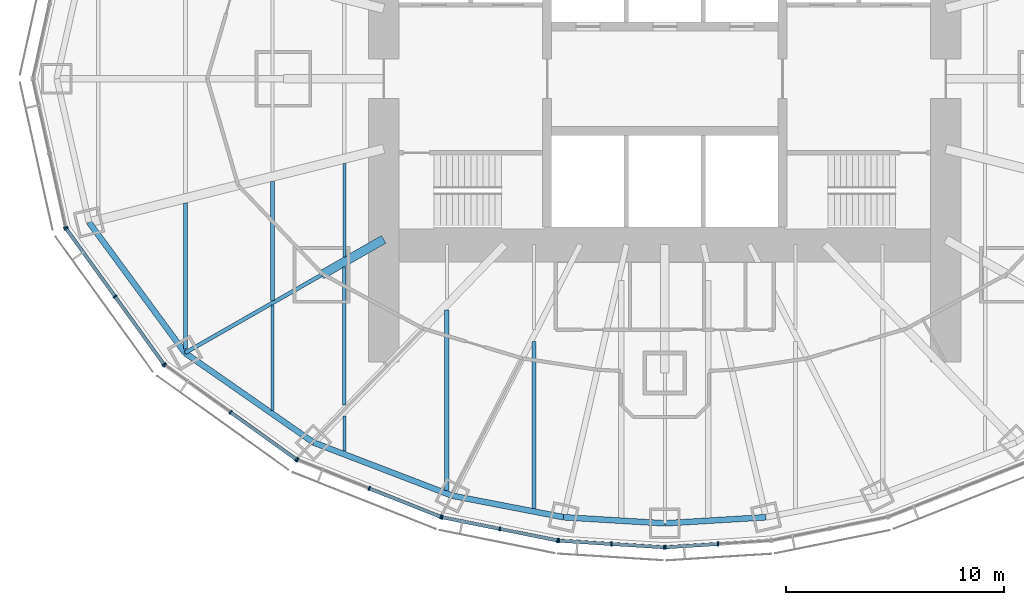
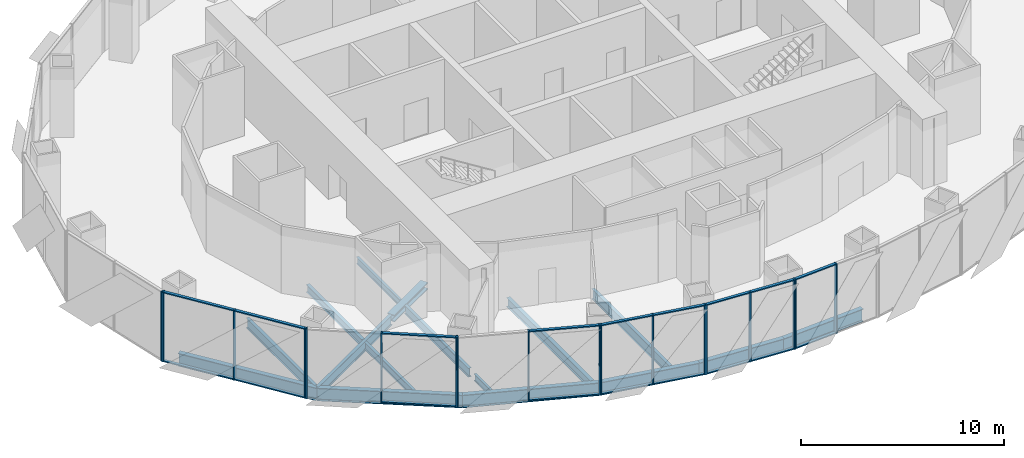
# One storey, part 2 of 18: 36 members, 16 beams, 7 elements without a shape of their own.
"""IFC4 building model written with IfcOpenShell, lengths in metres."""

from ifc_helpers import new_model, si_unit, direction, frame, origin, origin_2d, place, context, subcontext, project, spatial, rectangle, i_section, extrude, material, material_profile, profile_set, type_object, element, aggregate, save


model = new_model("IFC4")

# Units and contexts
model_context = context("Model", 3, precision=1e-05, world=origin(), true_north=direction((0.0, 1.0)))
body_context = subcontext(model_context, "Body", "Model", "MODEL_VIEW")
ifc_project = project(units=[si_unit("LENGTHUNIT", "METRE"), si_unit("AREAUNIT", "SQUARE_METRE"), si_unit("VOLUMEUNIT", "CUBIC_METRE"), si_unit("PLANEANGLEUNIT", "RADIAN"), si_unit("MASSUNIT", "GRAM", prefix="KILO")], contexts=[model_context])

# Site, building, storey
site_placement = place(None, origin())
site = spatial("IfcSite", under=ifc_project, at=site_placement, CompositionType="ELEMENT")
building_placement = place(site_placement, origin())
building = spatial("IfcBuilding", under=site, at=building_placement, Name="Lantaw Convention Tower", CompositionType="ELEMENT")
storey_placement = place(building_placement, frame((0.0, 0.0, 184.60009765625)))
storey = spatial("IfcBuildingStorey", under=building, at=storey_placement, Name="L43", CompositionType="ELEMENT", Elevation=184.60009765625)

# Beams
ifc_material_1 = material(Name="Steel ASTM A992", Category="steel")
ifc_material_profile_1 = material_profile(ifc_material_1, i_section(OverallWidth=0.2666015625, OverallDepth=0.76953125, WebThickness=0.015625, FlangeThickness=0.025390625, FilletRadius=0.0126953125, at=origin_2d()), Name="W30X132")
ifc_profile_set_1 = profile_set([ifc_material_profile_1], Name="Steel ASTM A992")
beam_type_1 = type_object("IfcBeamType", Name="Beam E W30X132", PredefinedType="SPANDREL", material=ifc_profile_set_1)
beam_1_placement = place(storey_placement, frame((-26.419921875, -6.587158203125, -0.534912109375), z_axis=(0.5923891972, -0.805651934176, 0.0), x_axis=(0.805651934176, 0.5923891972, 0.0)))
element("IfcBeam", 1, at=beam_1_placement, inside=storey, type_object=beam_type_1, Name="Edge beam 14", PredefinedType="SPANDREL", context=body_context, shape_type="SweptSolid", body=[
    extrude(i_section(OverallWidth=0.2666015625, OverallDepth=0.76953125, WebThickness=0.015625, FlangeThickness=0.025390625, FilletRadius=0.0126953125, at=origin_2d()), origin(), (0.0, 0.0, 1.0), 7.437744140625),
])
beam_2_placement = place(storey_placement, frame((-22.013916015625, -12.579345703125, -0.534912109375), z_axis=(0.820310765287, -0.57191804339, 0.0), x_axis=(0.57191804339, 0.820310765287, 0.0)))
element("IfcBeam", 2, at=beam_2_placement, inside=storey, type_object=beam_type_1, Name="Edge beam 15", PredefinedType="SPANDREL", context=body_context, shape_type="SweptSolid", body=[
    extrude(i_section(OverallWidth=0.2666015625, OverallDepth=0.76953125, WebThickness=0.015625, FlangeThickness=0.025390625, FilletRadius=0.0126953125, at=origin_2d()), origin(), (0.0, 0.0, 1.0), 7.187744140625),
])
beam_3_placement = place(storey_placement, frame((-16.11767578125, -16.690185546875, -0.534912109375), z_axis=(0.933691081977, -0.358079549033, 0.0), x_axis=(0.358079549033, 0.933691081977, 0.0)))
element("IfcBeam", 3, at=beam_3_placement, inside=storey, type_object=beam_type_1, Name="Edge beam 16", PredefinedType="SPANDREL", context=body_context, shape_type="SweptSolid", body=[
    extrude(i_section(OverallWidth=0.2666015625, OverallDepth=0.76953125, WebThickness=0.015625, FlangeThickness=0.025390625, FilletRadius=0.0126953125, at=origin_2d()), origin(), (0.0, 0.0, 1.0), 6.821533203125),
])
beam_4_placement = place(storey_placement, frame((-9.74853515625, -19.1328125, -0.534912109375), z_axis=(0.981796805654, -0.189934284446, 0.0), x_axis=(0.189934284446, 0.981796805654, 0.0)))
element("IfcBeam", 4, at=beam_4_placement, inside=storey, type_object=beam_type_1, Name="Edge beam 17", PredefinedType="SPANDREL", context=body_context, shape_type="SweptSolid", body=[
    extrude(i_section(OverallWidth=0.2666015625, OverallDepth=0.76953125, WebThickness=0.015625, FlangeThickness=0.025390625, FilletRadius=0.0126953125, at=origin_2d()), origin(), (0.0, 0.0, 1.0), 5.1982421875),
])
for number, where, z_axis, x_axis, name in (
    (5, (-4.64501953125, -20.1201171875, -0.534912109375), (0.998190892054, -0.06012439621, 0.0), (0.06012439621, 0.998190892054, 0.0), "Edge beam 18"),
    (6, (0.0, -20.39990234375, -0.534912109375), (0.998190892054, 0.06012439621, 0.0), (-0.06012439621, 0.998190892054, 0.0), "Edge beam 19"),
):
    element("IfcBeam", number, at=place(storey_placement, frame(where, z_axis=z_axis, x_axis=x_axis)), inside=storey, type_object=beam_type_1, Name=name, PredefinedType="SPANDREL", context=body_context, shape_type="SweptSolid", body=[
        extrude(i_section(OverallWidth=0.2666015625, OverallDepth=0.76953125, WebThickness=0.015625, FlangeThickness=0.025390625, FilletRadius=0.0126953125, at=origin_2d()), origin(), (0.0, 0.0, 1.0), 4.6533203125),
    ])
ifc_material_profile_2 = material_profile(ifc_material_1, i_section(OverallWidth=0.177978515625, OverallDepth=0.599365234375, WebThickness=0.010009765625, FlangeThickness=0.012939453125, FilletRadius=0.012939453125, at=origin_2d()), Name="W24X55")
ifc_profile_set_2 = profile_set([ifc_material_profile_2], Name="Steel ASTM A992")
beam_type_2 = type_object("IfcBeamType", Name="Beam G W24X55", PredefinedType="BEAM", material=ifc_profile_set_2)
beam_5_placement = place(storey_placement, frame((-15.75, -9.0, -0.44970703125), z_axis=(-0.868245224608, -0.496135293993, 0.0), x_axis=(0.496135293993, -0.868245224608, 0.0)))
element("IfcBeam", 7, at=beam_5_placement, inside=storey, type_object=beam_type_2, Name="Floor girder on ray 15", PredefinedType="BEAM", context=body_context, shape_type="SweptSolid", body=[
    extrude(i_section(OverallWidth=0.177978515625, OverallDepth=0.599365234375, WebThickness=0.010009765625, FlangeThickness=0.012939453125, FilletRadius=0.012939453125, at=origin_2d()), origin(), (0.0, 0.0, 1.0), 7.21435546875),
])
ifc_material_profile_3 = material_profile(ifc_material_1, i_section(OverallWidth=0.40380859375, OverallDepth=0.406494140625, WebThickness=0.027099609375, FlangeThickness=0.043701171875, FilletRadius=0.01513671875, at=origin_2d()), Name="W14X233")
ifc_profile_set_3 = profile_set([ifc_material_profile_3], Name="Steel ASTM A992")
beam_type_3 = type_object("IfcBeamType", Name="Beam GM W14X233", PredefinedType="BEAM", material=ifc_profile_set_3)
beam_6_placement = place(storey_placement, frame((-12.89990234375, -7.371337890625, -0.353271484375), z_axis=(-0.868238565244, -0.496146947811, 0.0), x_axis=(0.496146947811, -0.868238565244, 0.0)))
element("IfcBeam", 8, at=beam_6_placement, inside=storey, type_object=beam_type_3, Name="Core link beam on ray 15", PredefinedType="BEAM", context=body_context, shape_type="SweptSolid", body=[
    extrude(i_section(OverallWidth=0.40380859375, OverallDepth=0.406494140625, WebThickness=0.027099609375, FlangeThickness=0.043701171875, FilletRadius=0.01513671875, at=origin_2d()), origin(), (0.0, 0.0, 1.0), 3.28271484375),
])
ifc_material_profile_4 = material_profile(ifc_material_1, i_section(OverallWidth=0.140380859375, OverallDepth=0.40380859375, WebThickness=0.007080078125, FlangeThickness=0.01123046875, FilletRadius=0.01025390625, at=origin_2d()), Name="W16X31")
ifc_profile_set_4 = profile_set([ifc_material_profile_4], Name="Steel ASTM A992")
beam_type_4 = type_object("IfcBeamType", Name="Beam J W16X31", PredefinedType="JOIST", material=ifc_profile_set_4)
beam_7_placement = place(storey_placement, frame((-14.699951171875, -17.091064453125, -0.35205078125), z_axis=(0.0, 1.0, 0.0), x_axis=(-1.0, 0.0, 0.0)))
element("IfcBeam", 9, at=beam_7_placement, inside=storey, type_object=beam_type_4, Name="Floor joist", PredefinedType="JOIST", context=body_context, shape_type="SweptSolid", body=[
    extrude(i_section(OverallWidth=0.140380859375, OverallDepth=0.40380859375, WebThickness=0.007080078125, FlangeThickness=0.01123046875, FilletRadius=0.01025390625, at=origin_2d()), origin(), (0.0, 0.0, 1.0), 1.609130859375),
])
beam_8_placement = place(storey_placement, frame((-14.699951171875, -8.16748046875, -0.35205078125), z_axis=(0.0, 1.0, 0.0), x_axis=(-1.0, 0.0, 0.0)))
element("IfcBeam", 10, at=beam_8_placement, inside=storey, type_object=beam_type_4, Name="Floor joist", PredefinedType="JOIST", context=body_context, shape_type="SweptSolid", body=[
    extrude(i_section(OverallWidth=0.140380859375, OverallDepth=0.40380859375, WebThickness=0.007080078125, FlangeThickness=0.01123046875, FilletRadius=0.01025390625, at=origin_2d()), origin(), (0.0, 0.0, 1.0), 4.28515625),
])
ifc_material_profile_5 = material_profile(ifc_material_1, i_section(OverallWidth=0.15234375, OverallDepth=0.449462890625, WebThickness=0.007568359375, FlangeThickness=0.0107421875, FilletRadius=0.01025390625, at=origin_2d()), Name="W18X35")
ifc_profile_set_5 = profile_set([ifc_material_profile_5], Name="Steel ASTM A992")
beam_type_5 = type_object("IfcBeamType", Name="Beam J W18X35", PredefinedType="JOIST", material=ifc_profile_set_5)
beam_9_placement = place(storey_placement, frame((-18.0, -15.21533203125, -0.375), z_axis=(0.0, 1.0, 0.0), x_axis=(-1.0, 0.0, 0.0)))
element("IfcBeam", 11, at=beam_9_placement, inside=storey, type_object=beam_type_5, Name="Floor joist", PredefinedType="JOIST", context=body_context, shape_type="SweptSolid", body=[
    extrude(i_section(OverallWidth=0.15234375, OverallDepth=0.449462890625, WebThickness=0.007568359375, FlangeThickness=0.0107421875, FilletRadius=0.01025390625, at=origin_2d()), origin(), (0.0, 0.0, 1.0), 4.8271484375),
])
ifc_material_profile_6 = material_profile(ifc_material_1, i_section(OverallWidth=0.1904296875, OverallDepth=0.457275390625, WebThickness=0.009033203125, FlangeThickness=0.014404296875, FilletRadius=0.01025390625, at=origin_2d()), Name="W18X50")
ifc_profile_set_6 = profile_set([ifc_material_profile_6], Name="Steel ASTM A992")
beam_type_6 = type_object("IfcBeamType", Name="Beam J W18X50", PredefinedType="JOIST", material=ifc_profile_set_6)
beam_10_placement = place(storey_placement, frame((-18.0, -10.18310546875, -0.378662109375), z_axis=(0.0, 1.0, 0.0), x_axis=(-1.0, 0.0, 0.0)))
element("IfcBeam", 12, at=beam_10_placement, inside=storey, type_object=beam_type_6, Name="Floor joist", PredefinedType="JOIST", context=body_context, shape_type="SweptSolid", body=[
    extrude(i_section(OverallWidth=0.1904296875, OverallDepth=0.457275390625, WebThickness=0.009033203125, FlangeThickness=0.014404296875, FilletRadius=0.01025390625, at=origin_2d()), origin(), (0.0, 0.0, 1.0), 5.47802734375),
])
ifc_material_profile_7 = material_profile(ifc_material_1, i_section(OverallWidth=0.1650390625, OverallDepth=0.52587890625, WebThickness=0.0087890625, FlangeThickness=0.011474609375, FilletRadius=0.0126953125, at=origin_2d()), Name="W21X44")
ifc_profile_set_7 = profile_set([ifc_material_profile_7], Name="Steel ASTM A992")
beam_type_7 = type_object("IfcBeamType", Name="Beam J W21X44", PredefinedType="JOIST", material=ifc_profile_set_7)
beam_11_placement = place(storey_placement, frame((-14.699951171875, -14.962646484375, -0.4130859375), z_axis=(0.0, 1.0, 0.0), x_axis=(-1.0, 0.0, 0.0)))
element("IfcBeam", 13, at=beam_11_placement, inside=storey, type_object=beam_type_7, Name="Floor joist", PredefinedType="JOIST", context=body_context, shape_type="SweptSolid", body=[
    extrude(i_section(OverallWidth=0.1650390625, OverallDepth=0.52587890625, WebThickness=0.0087890625, FlangeThickness=0.011474609375, FilletRadius=0.0126953125, at=origin_2d()), origin(), (0.0, 0.0, 1.0), 6.330078125),
])
ifc_material_profile_8 = material_profile(ifc_material_1, i_section(OverallWidth=0.2099609375, OverallDepth=0.535888671875, WebThickness=0.010986328125, FlangeThickness=0.017333984375, FilletRadius=0.012939453125, at=origin_2d()), Name="W21X68")
ifc_profile_set_8 = profile_set([ifc_material_profile_8], Name="Steel ASTM A992")
beam_type_8 = type_object("IfcBeamType", Name="Beam J W21X68", PredefinedType="JOIST", material=ifc_profile_set_8)
beam_12_placement = place(storey_placement, frame((-10.0, -18.8935546875, -0.41796875), z_axis=(0.0, 1.0, 0.0), x_axis=(-1.0, 0.0, 0.0)))
element("IfcBeam", 14, at=beam_12_placement, inside=storey, type_object=beam_type_8, Name="Floor joist", PredefinedType="JOIST", context=body_context, shape_type="SweptSolid", body=[
    extrude(i_section(OverallWidth=0.2099609375, OverallDepth=0.535888671875, WebThickness=0.010986328125, FlangeThickness=0.017333984375, FilletRadius=0.012939453125, at=origin_2d()), origin(), (0.0, 0.0, 1.0), 8.278564453125),
])
ifc_material_profile_9 = material_profile(ifc_material_1, i_section(OverallWidth=0.177978515625, OverallDepth=0.599365234375, WebThickness=0.010009765625, FlangeThickness=0.012939453125, FilletRadius=0.012939453125, at=origin_2d()), Name="W24X55")
ifc_profile_set_9 = profile_set([ifc_material_profile_9], Name="Steel ASTM A992")
beam_type_9 = type_object("IfcBeamType", Name="Beam J W24X55", PredefinedType="JOIST", material=ifc_profile_set_9)
beam_13_placement = place(storey_placement, frame((-22.0, -12.408935546875, -0.44970703125), z_axis=(0.0, 1.0, 0.0), x_axis=(-1.0, 0.0, 0.0)))
element("IfcBeam", 15, at=beam_13_placement, inside=storey, type_object=beam_type_9, Name="Floor joist", PredefinedType="JOIST", context=body_context, shape_type="SweptSolid", body=[
    extrude(i_section(OverallWidth=0.177978515625, OverallDepth=0.599365234375, WebThickness=0.010009765625, FlangeThickness=0.012939453125, FilletRadius=0.012939453125, at=origin_2d()), origin(), (0.0, 0.0, 1.0), 6.70654296875),
])
beam_14_placement = place(storey_placement, frame((-6.0, -19.72216796875, -0.44970703125), z_axis=(0.0, 1.0, 0.0), x_axis=(-1.0, 0.0, 0.0)))
element("IfcBeam", 16, at=beam_14_placement, inside=storey, type_object=beam_type_9, Name="Floor joist", PredefinedType="JOIST", context=body_context, shape_type="SweptSolid", body=[
    extrude(i_section(OverallWidth=0.177978515625, OverallDepth=0.599365234375, WebThickness=0.010009765625, FlangeThickness=0.012939453125, FilletRadius=0.012939453125, at=origin_2d()), origin(), (0.0, 0.0, 1.0), 7.666748046875),
])

# Curtain wall, member
ifc_material_2 = material(Name="Aluminium framed curtain wall", Category="aluminium")
curtain_wall_type = type_object("IfcCurtainWallType", Name="Office curtain wall low rise, pale aluminium", PredefinedType="USERDEFINED", material=ifc_material_2)
curtain_wall_1_placement = place(storey_placement, origin())
curtain_wall_1 = element("IfcCurtainWall", 17, at=curtain_wall_1_placement, inside=storey, type_object=curtain_wall_type, Name="Office curtain wall low rise, pale aluminium L43", ObjectType="UNITISED CURTAIN WALL", PredefinedType="USERDEFINED")
ifc_material_3 = material(Name="Aluminium 6063-T6", Category="aluminium")
ifc_material_profile_10 = material_profile(ifc_material_3, rectangle(XDim=0.199951171875, YDim=0.06494140625, at=origin_2d()), Name="CW-O1 mullion 65x200")
ifc_profile_set_10 = profile_set([ifc_material_profile_10], Name="Aluminium 6063-T6")
member_type_1 = type_object("IfcMemberType", Name="CW-O1 mullion 65x200", PredefinedType="MULLION", material=ifc_profile_set_10)
member_1_placement = place(storey_placement, frame((-27.494140625, -6.821533203125, -0.150146484375), z_axis=(0.0, 0.0, 1.0), x_axis=(0.9764936509, 0.215546166174, 0.0)))
member_1 = element("IfcMember", 18, at=member_1_placement, type_object=member_type_1, Name="CW-O1 mullion 3", PredefinedType="MULLION", context=body_context, shape_type="SweptSolid", body=[
    extrude(rectangle(XDim=0.199951171875, YDim=0.06494140625, at=origin_2d()), origin(), (0.0, 0.0, 1.0), 4.199951171875),
])
aggregate(curtain_wall_1, [member_1])

# Curtain wall, members
curtain_wall_2_placement = place(storey_placement, origin())
curtain_wall_2 = element("IfcCurtainWall", 19, at=curtain_wall_2_placement, inside=storey, type_object=curtain_wall_type, Name="Office curtain wall low rise, pale aluminium L43", ObjectType="UNITISED CURTAIN WALL", PredefinedType="USERDEFINED")
member_2_placement = place(storey_placement, frame((-27.46826171875, -6.879638671875, -0.150146484375), z_axis=(0.0, 0.0, 1.0), x_axis=(0.811384633629, 0.584512597221, 0.0)))
member_2 = element("IfcMember", 20, at=member_2_placement, type_object=member_type_1, Name="CW-O1 mullion 1", PredefinedType="MULLION", context=body_context, shape_type="SweptSolid", body=[
    extrude(rectangle(XDim=0.199951171875, YDim=0.06494140625, at=origin_2d()), origin(), (0.0, 0.0, 1.0), 4.199951171875),
])
member_3_placement = place(storey_placement, frame((-25.22802734375, -9.9892578125, -0.150146484375), z_axis=(0.0, 0.0, 1.0), x_axis=(0.811384633629, 0.584512597221, 0.0)))
member_3 = element("IfcMember", 21, at=member_3_placement, type_object=member_type_1, Name="CW-O1 mullion 2", PredefinedType="MULLION", context=body_context, shape_type="SweptSolid", body=[
    extrude(rectangle(XDim=0.199951171875, YDim=0.06494140625, at=origin_2d()), origin(), (0.0, 0.0, 1.0), 4.199951171875),
])
member_4_placement = place(storey_placement, frame((-22.988037109375, -13.098876953125, -0.150146484375), z_axis=(0.0, 0.0, 1.0), x_axis=(0.811384633629, 0.584512597221, 0.0)))
member_4 = element("IfcMember", 22, at=member_4_placement, type_object=member_type_1, Name="CW-O1 mullion 3", PredefinedType="MULLION", context=body_context, shape_type="SweptSolid", body=[
    extrude(rectangle(XDim=0.199951171875, YDim=0.06494140625, at=origin_2d()), origin(), (0.0, 0.0, 1.0), 4.199951171875),
])

curtain_wall_3_placement = place(storey_placement, origin())
curtain_wall_3 = element("IfcCurtainWall", 23, at=curtain_wall_3_placement, inside=storey, type_object=curtain_wall_type, Name="Office curtain wall low rise, pale aluminium L43", ObjectType="UNITISED CURTAIN WALL", PredefinedType="USERDEFINED")
member_5_placement = place(storey_placement, frame((-22.942626953125, -13.14404296875, -0.150146484375), z_axis=(0.0, 0.0, 1.0), x_axis=(0.581972695693, 0.813208325995, 0.0)))
member_5 = element("IfcMember", 24, at=member_5_placement, type_object=member_type_1, Name="CW-O1 mullion 1", PredefinedType="MULLION", context=body_context, shape_type="SweptSolid", body=[
    extrude(rectangle(XDim=0.199951171875, YDim=0.06494140625, at=origin_2d()), origin(), (0.0, 0.0, 1.0), 4.199951171875),
])
member_6_placement = place(storey_placement, frame((-19.92529296875, -15.303466796875, -0.150146484375), z_axis=(0.0, 0.0, 1.0), x_axis=(0.581972695693, 0.813208325995, 0.0)))
member_6 = element("IfcMember", 25, at=member_6_placement, type_object=member_type_1, Name="CW-O1 mullion 2", PredefinedType="MULLION", context=body_context, shape_type="SweptSolid", body=[
    extrude(rectangle(XDim=0.199951171875, YDim=0.06494140625, at=origin_2d()), origin(), (0.0, 0.0, 1.0), 4.199951171875),
])
member_7_placement = place(storey_placement, frame((-16.908203125, -17.462646484375, -0.150146484375), z_axis=(0.0, 0.0, 1.0), x_axis=(0.581972695693, 0.813208325995, 0.0)))
member_7 = element("IfcMember", 26, at=member_7_placement, type_object=member_type_1, Name="CW-O1 mullion 3", PredefinedType="MULLION", context=body_context, shape_type="SweptSolid", body=[
    extrude(rectangle(XDim=0.199951171875, YDim=0.06494140625, at=origin_2d()), origin(), (0.0, 0.0, 1.0), 4.199951171875),
])

curtain_wall_4_placement = place(storey_placement, origin())
curtain_wall_4 = element("IfcCurtainWall", 27, at=curtain_wall_4_placement, inside=storey, type_object=curtain_wall_type, Name="Office curtain wall low rise, pale aluminium L43", ObjectType="UNITISED CURTAIN WALL", PredefinedType="USERDEFINED")
member_8_placement = place(storey_placement, frame((-16.8515625, -17.49365234375, -0.150146484375), z_axis=(0.0, 0.0, 1.0), x_axis=(0.368701907483, 0.929547687544, 0.0)))
member_8 = element("IfcMember", 28, at=member_8_placement, type_object=member_type_1, Name="CW-O1 mullion 1", PredefinedType="MULLION", context=body_context, shape_type="SweptSolid", body=[
    extrude(rectangle(XDim=0.199951171875, YDim=0.06494140625, at=origin_2d()), origin(), (0.0, 0.0, 1.0), 4.199951171875),
])
member_9_placement = place(storey_placement, frame((-13.56494140625, -18.797119140625, -0.150146484375), z_axis=(0.0, 0.0, 1.0), x_axis=(0.368701907483, 0.929547687544, 0.0)))
member_9 = element("IfcMember", 29, at=member_9_placement, type_object=member_type_1, Name="CW-O1 mullion 2", PredefinedType="MULLION", context=body_context, shape_type="SweptSolid", body=[
    extrude(rectangle(XDim=0.199951171875, YDim=0.06494140625, at=origin_2d()), origin(), (0.0, 0.0, 1.0), 4.199951171875),
])
member_10_placement = place(storey_placement, frame((-10.2783203125, -20.100830078125, -0.150146484375), z_axis=(0.0, 0.0, 1.0), x_axis=(0.368701907483, 0.929547687544, 0.0)))
member_10 = element("IfcMember", 30, at=member_10_placement, type_object=member_type_1, Name="CW-O1 mullion 3", PredefinedType="MULLION", context=body_context, shape_type="SweptSolid", body=[
    extrude(rectangle(XDim=0.199951171875, YDim=0.06494140625, at=origin_2d()), origin(), (0.0, 0.0, 1.0), 4.199951171875),
])

curtain_wall_5_placement = place(storey_placement, origin())
curtain_wall_5 = element("IfcCurtainWall", 31, at=curtain_wall_5_placement, inside=storey, type_object=curtain_wall_type, Name="Office curtain wall low rise, pale aluminium L43", ObjectType="UNITISED CURTAIN WALL", PredefinedType="USERDEFINED")
member_11_placement = place(storey_placement, frame((-10.216064453125, -20.119140625, -0.150146484375), z_axis=(0.0, 0.0, 1.0), x_axis=(0.197506809659, 0.980301514912, 0.0)))
member_11 = element("IfcMember", 32, at=member_11_placement, type_object=member_type_1, Name="CW-O1 mullion 1", PredefinedType="MULLION", context=body_context, shape_type="SweptSolid", body=[
    extrude(rectangle(XDim=0.199951171875, YDim=0.06494140625, at=origin_2d()), origin(), (0.0, 0.0, 1.0), 4.199951171875),
])
member_12_placement = place(storey_placement, frame((-7.5703125, -20.65234375, -0.150146484375), z_axis=(0.0, 0.0, 1.0), x_axis=(0.197506809659, 0.980301514912, 0.0)))
member_12 = element("IfcMember", 33, at=member_12_placement, type_object=member_type_1, Name="CW-O1 mullion 2", PredefinedType="MULLION", context=body_context, shape_type="SweptSolid", body=[
    extrude(rectangle(XDim=0.199951171875, YDim=0.06494140625, at=origin_2d()), origin(), (0.0, 0.0, 1.0), 4.199951171875),
])
member_13_placement = place(storey_placement, frame((-4.92431640625, -21.185302734375, -0.150146484375), z_axis=(0.0, 0.0, 1.0), x_axis=(0.197506809659, 0.980301514912, 0.0)))
member_13 = element("IfcMember", 34, at=member_13_placement, type_object=member_type_1, Name="CW-O1 mullion 3", PredefinedType="MULLION", context=body_context, shape_type="SweptSolid", body=[
    extrude(rectangle(XDim=0.199951171875, YDim=0.06494140625, at=origin_2d()), origin(), (0.0, 0.0, 1.0), 4.199951171875),
])

curtain_wall_6_placement = place(storey_placement, origin())
curtain_wall_6 = element("IfcCurtainWall", 35, at=curtain_wall_6_placement, inside=storey, type_object=curtain_wall_type, Name="Office curtain wall low rise, pale aluminium L43", ObjectType="UNITISED CURTAIN WALL", PredefinedType="USERDEFINED")
member_14_placement = place(storey_placement, frame((-4.860107421875, -21.19384765625, -0.150146484375), z_axis=(0.0, 0.0, 1.0), x_axis=(0.062865059466, 0.998022035978, 0.0)))
member_14 = element("IfcMember", 36, at=member_14_placement, type_object=member_type_1, Name="CW-O1 mullion 1", PredefinedType="MULLION", context=body_context, shape_type="SweptSolid", body=[
    extrude(rectangle(XDim=0.199951171875, YDim=0.06494140625, at=origin_2d()), origin(), (0.0, 0.0, 1.0), 4.199951171875),
])
member_15_placement = place(storey_placement, frame((-2.4462890625, -21.345947265625, -0.150146484375), z_axis=(0.0, 0.0, 1.0), x_axis=(0.062865059466, 0.998022035978, 0.0)))
member_15 = element("IfcMember", 37, at=member_15_placement, type_object=member_type_1, Name="CW-O1 mullion 2", PredefinedType="MULLION", context=body_context, shape_type="SweptSolid", body=[
    extrude(rectangle(XDim=0.199951171875, YDim=0.06494140625, at=origin_2d()), origin(), (0.0, 0.0, 1.0), 4.199951171875),
])
member_16_placement = place(storey_placement, frame((-0.032470703125, -21.498046875, -0.150146484375), z_axis=(0.0, 0.0, 1.0), x_axis=(0.062865059466, 0.998022035978, 0.0)))
member_16 = element("IfcMember", 38, at=member_16_placement, type_object=member_type_1, Name="CW-O1 mullion 3", PredefinedType="MULLION", context=body_context, shape_type="SweptSolid", body=[
    extrude(rectangle(XDim=0.199951171875, YDim=0.06494140625, at=origin_2d()), origin(), (0.0, 0.0, 1.0), 4.199951171875),
])

curtain_wall_7_placement = place(storey_placement, origin())
curtain_wall_7 = element("IfcCurtainWall", 39, at=curtain_wall_7_placement, inside=storey, type_object=curtain_wall_type, Name="Office curtain wall low rise, pale aluminium L43", ObjectType="UNITISED CURTAIN WALL", PredefinedType="USERDEFINED")
member_17_placement = place(storey_placement, frame((0.032470703125, -21.498046875, -0.150146484375), z_axis=(0.0, 0.0, 1.0), x_axis=(-0.062865059466, 0.998022035978, 0.0)))
member_17 = element("IfcMember", 40, at=member_17_placement, type_object=member_type_1, Name="CW-O1 mullion 1", PredefinedType="MULLION", context=body_context, shape_type="SweptSolid", body=[
    extrude(rectangle(XDim=0.199951171875, YDim=0.06494140625, at=origin_2d()), origin(), (0.0, 0.0, 1.0), 4.199951171875),
])
member_18_placement = place(storey_placement, frame((2.4462890625, -21.345947265625, -0.150146484375), z_axis=(0.0, 0.0, 1.0), x_axis=(-0.062865059466, 0.998022035978, 0.0)))
member_18 = element("IfcMember", 41, at=member_18_placement, type_object=member_type_1, Name="CW-O1 mullion 2", PredefinedType="MULLION", context=body_context, shape_type="SweptSolid", body=[
    extrude(rectangle(XDim=0.199951171875, YDim=0.06494140625, at=origin_2d()), origin(), (0.0, 0.0, 1.0), 4.199951171875),
])

# Member
ifc_material_profile_11 = material_profile(ifc_material_3, rectangle(XDim=0.159912109375, YDim=0.06494140625, at=origin_2d()), Name="CW-O1 transom 65x160")
ifc_profile_set_11 = profile_set([ifc_material_profile_11], Name="Aluminium 6063-T6")
member_type_2 = type_object("IfcMemberType", Name="CW-O1 transom 65x160", PredefinedType="USERDEFINED", material=ifc_profile_set_11)
member_19_placement = place(storey_placement, frame((-27.44921875, -6.906005859375, -0.11767578125), z_axis=(0.584512973979, -0.811384362217, 0.0), x_axis=(0.811384362217, 0.584512973979, 0.0)))
member_19 = element("IfcMember", 42, at=member_19_placement, type_object=member_type_2, Name="CW-O1 transom 1.1", ObjectType="TRANSOM", PredefinedType="USERDEFINED", context=body_context, shape_type="SweptSolid", body=[
    extrude(rectangle(XDim=0.159912109375, YDim=0.06494140625, at=origin_2d()), origin(), (0.0, 0.0, 1.0), 3.767578125),
])

member_20_placement = place(storey_placement, frame((-27.44921875, -6.906005859375, 4.017333984375), z_axis=(0.584512973979, -0.811384362217, 0.0), x_axis=(0.811384362217, 0.584512973979, 0.0)))
member_20 = element("IfcMember", 43, at=member_20_placement, type_object=member_type_2, Name="CW-O1 transom 1.2", ObjectType="TRANSOM", PredefinedType="USERDEFINED", context=body_context, shape_type="SweptSolid", body=[
    extrude(rectangle(XDim=0.159912109375, YDim=0.06494140625, at=origin_2d()), origin(), (0.0, 0.0, 1.0), 3.767578125),
])

member_21_placement = place(storey_placement, frame((-25.209228515625, -10.015625, -0.11767578125), z_axis=(0.584512973979, -0.811384362217, 0.0), x_axis=(0.811384362217, 0.584512973979, 0.0)))
member_21 = element("IfcMember", 44, at=member_21_placement, type_object=member_type_2, Name="CW-O1 transom 2.1", ObjectType="TRANSOM", PredefinedType="USERDEFINED", context=body_context, shape_type="SweptSolid", body=[
    extrude(rectangle(XDim=0.159912109375, YDim=0.06494140625, at=origin_2d()), origin(), (0.0, 0.0, 1.0), 3.767578125),
])

member_22_placement = place(storey_placement, frame((-25.209228515625, -10.015625, 4.017333984375), z_axis=(0.584512973979, -0.811384362217, 0.0), x_axis=(0.811384362217, 0.584512973979, 0.0)))
member_22 = element("IfcMember", 45, at=member_22_placement, type_object=member_type_2, Name="CW-O1 transom 2.2", ObjectType="TRANSOM", PredefinedType="USERDEFINED", context=body_context, shape_type="SweptSolid", body=[
    extrude(rectangle(XDim=0.159912109375, YDim=0.06494140625, at=origin_2d()), origin(), (0.0, 0.0, 1.0), 3.767578125),
])

aggregate(curtain_wall_2, [member_2, member_3, member_4, member_19, member_20, member_21, member_22])

member_23_placement = place(storey_placement, frame((-19.89892578125, -15.322265625, -0.11767578125), z_axis=(0.813190089133, -0.581998177777, 0.0), x_axis=(0.581998177777, 0.813190089133, 0.0)))
member_23 = element("IfcMember", 46, at=member_23_placement, type_object=member_type_2, Name="CW-O1 transom 2.1", ObjectType="TRANSOM", PredefinedType="USERDEFINED", context=body_context, shape_type="SweptSolid", body=[
    extrude(rectangle(XDim=0.159912109375, YDim=0.06494140625, at=origin_2d()), origin(), (0.0, 0.0, 1.0), 3.645263671875),
])

member_24_placement = place(storey_placement, frame((-19.89892578125, -15.322265625, 4.017333984375), z_axis=(0.813190089133, -0.581998177777, 0.0), x_axis=(0.581998177777, 0.813190089133, 0.0)))
member_24 = element("IfcMember", 47, at=member_24_placement, type_object=member_type_2, Name="CW-O1 transom 2.2", ObjectType="TRANSOM", PredefinedType="USERDEFINED", context=body_context, shape_type="SweptSolid", body=[
    extrude(rectangle(XDim=0.159912109375, YDim=0.06494140625, at=origin_2d()), origin(), (0.0, 0.0, 1.0), 3.645263671875),
])

aggregate(curtain_wall_3, [member_5, member_6, member_7, member_23, member_24])

member_25_placement = place(storey_placement, frame((-13.53466796875, -18.80908203125, -0.11767578125), z_axis=(0.929540081544, -0.368721082668, 0.0), x_axis=(0.368721082668, 0.929540081544, 0.0)))
member_25 = element("IfcMember", 48, at=member_25_placement, type_object=member_type_2, Name="CW-O1 transom 2.1", ObjectType="TRANSOM", PredefinedType="USERDEFINED", context=body_context, shape_type="SweptSolid", body=[
    extrude(rectangle(XDim=0.159912109375, YDim=0.06494140625, at=origin_2d()), origin(), (0.0, 0.0, 1.0), 3.470947265625),
])

member_26_placement = place(storey_placement, frame((-13.53466796875, -18.80908203125, 4.017333984375), z_axis=(0.929540081544, -0.368721082668, 0.0), x_axis=(0.368721082668, 0.929540081544, 0.0)))
member_26 = element("IfcMember", 49, at=member_26_placement, type_object=member_type_2, Name="CW-O1 transom 2.2", ObjectType="TRANSOM", PredefinedType="USERDEFINED", context=body_context, shape_type="SweptSolid", body=[
    extrude(rectangle(XDim=0.159912109375, YDim=0.06494140625, at=origin_2d()), origin(), (0.0, 0.0, 1.0), 3.470947265625),
])

aggregate(curtain_wall_4, [member_8, member_9, member_10, member_25, member_26])

member_27_placement = place(storey_placement, frame((-10.184326171875, -20.125732421875, -0.11767578125), z_axis=(0.980301643003, -0.197506173891, 0.0), x_axis=(0.197506173891, 0.980301643003, 0.0)))
member_27 = element("IfcMember", 50, at=member_27_placement, type_object=member_type_2, Name="CW-O1 transom 1.1", ObjectType="TRANSOM", PredefinedType="USERDEFINED", context=body_context, shape_type="SweptSolid", body=[
    extrude(rectangle(XDim=0.159912109375, YDim=0.06494140625, at=origin_2d()), origin(), (0.0, 0.0, 1.0), 2.63427734375),
])

member_28_placement = place(storey_placement, frame((-10.184326171875, -20.125732421875, 4.017333984375), z_axis=(0.980301643003, -0.197506173891, 0.0), x_axis=(0.197506173891, 0.980301643003, 0.0)))
member_28 = element("IfcMember", 51, at=member_28_placement, type_object=member_type_2, Name="CW-O1 transom 1.2", ObjectType="TRANSOM", PredefinedType="USERDEFINED", context=body_context, shape_type="SweptSolid", body=[
    extrude(rectangle(XDim=0.159912109375, YDim=0.06494140625, at=origin_2d()), origin(), (0.0, 0.0, 1.0), 2.63427734375),
])

member_29_placement = place(storey_placement, frame((-7.538330078125, -20.65869140625, -0.11767578125), z_axis=(0.980298027092, -0.197524120247, 0.0), x_axis=(0.197524120247, 0.980298027092, 0.0)))
member_29 = element("IfcMember", 52, at=member_29_placement, type_object=member_type_2, Name="CW-O1 transom 2.1", ObjectType="TRANSOM", PredefinedType="USERDEFINED", context=body_context, shape_type="SweptSolid", body=[
    extrude(rectangle(XDim=0.159912109375, YDim=0.06494140625, at=origin_2d()), origin(), (0.0, 0.0, 1.0), 2.634033203125),
])

member_30_placement = place(storey_placement, frame((-7.538330078125, -20.65869140625, 4.017333984375), z_axis=(0.980298027092, -0.197524120247, 0.0), x_axis=(0.197524120247, 0.980298027092, 0.0)))
member_30 = element("IfcMember", 53, at=member_30_placement, type_object=member_type_2, Name="CW-O1 transom 2.2", ObjectType="TRANSOM", PredefinedType="USERDEFINED", context=body_context, shape_type="SweptSolid", body=[
    extrude(rectangle(XDim=0.159912109375, YDim=0.06494140625, at=origin_2d()), origin(), (0.0, 0.0, 1.0), 2.634033203125),
])

aggregate(curtain_wall_5, [member_11, member_12, member_13, member_27, member_28, member_29, member_30])

member_31_placement = place(storey_placement, frame((-4.82763671875, -21.19580078125, -0.11767578125), z_axis=(0.998022188463, -0.062862638625, 0.0), x_axis=(0.062862638625, 0.998022188463, 0.0)))
member_31 = element("IfcMember", 54, at=member_31_placement, type_object=member_type_2, Name="CW-O1 transom 1.1", ObjectType="TRANSOM", PredefinedType="USERDEFINED", context=body_context, shape_type="SweptSolid", body=[
    extrude(rectangle(XDim=0.159912109375, YDim=0.06494140625, at=origin_2d()), origin(), (0.0, 0.0, 1.0), 2.353515625),
])

member_32_placement = place(storey_placement, frame((-4.82763671875, -21.19580078125, 4.017333984375), z_axis=(0.998022188463, -0.062862638625, 0.0), x_axis=(0.062862638625, 0.998022188463, 0.0)))
member_32 = element("IfcMember", 55, at=member_32_placement, type_object=member_type_2, Name="CW-O1 transom 1.2", ObjectType="TRANSOM", PredefinedType="USERDEFINED", context=body_context, shape_type="SweptSolid", body=[
    extrude(rectangle(XDim=0.159912109375, YDim=0.06494140625, at=origin_2d()), origin(), (0.0, 0.0, 1.0), 2.353515625),
])

member_33_placement = place(storey_placement, frame((-2.413818359375, -21.347900390625, -0.11767578125), z_axis=(0.998022188463, -0.062862638625, 0.0), x_axis=(0.062862638625, 0.998022188463, 0.0)))
member_33 = element("IfcMember", 56, at=member_33_placement, type_object=member_type_2, Name="CW-O1 transom 2.1", ObjectType="TRANSOM", PredefinedType="USERDEFINED", context=body_context, shape_type="SweptSolid", body=[
    extrude(rectangle(XDim=0.159912109375, YDim=0.06494140625, at=origin_2d()), origin(), (0.0, 0.0, 1.0), 2.353515625),
])

member_34_placement = place(storey_placement, frame((-2.413818359375, -21.347900390625, 4.017333984375), z_axis=(0.998022188463, -0.062862638625, 0.0), x_axis=(0.062862638625, 0.998022188463, 0.0)))
member_34 = element("IfcMember", 57, at=member_34_placement, type_object=member_type_2, Name="CW-O1 transom 2.2", ObjectType="TRANSOM", PredefinedType="USERDEFINED", context=body_context, shape_type="SweptSolid", body=[
    extrude(rectangle(XDim=0.159912109375, YDim=0.06494140625, at=origin_2d()), origin(), (0.0, 0.0, 1.0), 2.353515625),
])

aggregate(curtain_wall_6, [member_14, member_15, member_16, member_31, member_32, member_33, member_34])

member_35_placement = place(storey_placement, frame((0.06494140625, -21.495849609375, -0.11767578125), z_axis=(0.998022188463, 0.062862638625, 0.0), x_axis=(-0.062862638625, 0.998022188463, 0.0)))
member_35 = element("IfcMember", 58, at=member_35_placement, type_object=member_type_2, Name="CW-O1 transom 1.1", ObjectType="TRANSOM", PredefinedType="USERDEFINED", context=body_context, shape_type="SweptSolid", body=[
    extrude(rectangle(XDim=0.159912109375, YDim=0.06494140625, at=origin_2d()), origin(), (0.0, 0.0, 1.0), 2.353515625),
])

member_36_placement = place(storey_placement, frame((0.06494140625, -21.495849609375, 4.017333984375), z_axis=(0.998022188463, 0.062862638625, 0.0), x_axis=(-0.062862638625, 0.998022188463, 0.0)))
member_36 = element("IfcMember", 59, at=member_36_placement, type_object=member_type_2, Name="CW-O1 transom 1.2", ObjectType="TRANSOM", PredefinedType="USERDEFINED", context=body_context, shape_type="SweptSolid", body=[
    extrude(rectangle(XDim=0.159912109375, YDim=0.06494140625, at=origin_2d()), origin(), (0.0, 0.0, 1.0), 2.353515625),
])

aggregate(curtain_wall_7, [member_17, member_18, member_35, member_36])

save(model, "model.ifc")
